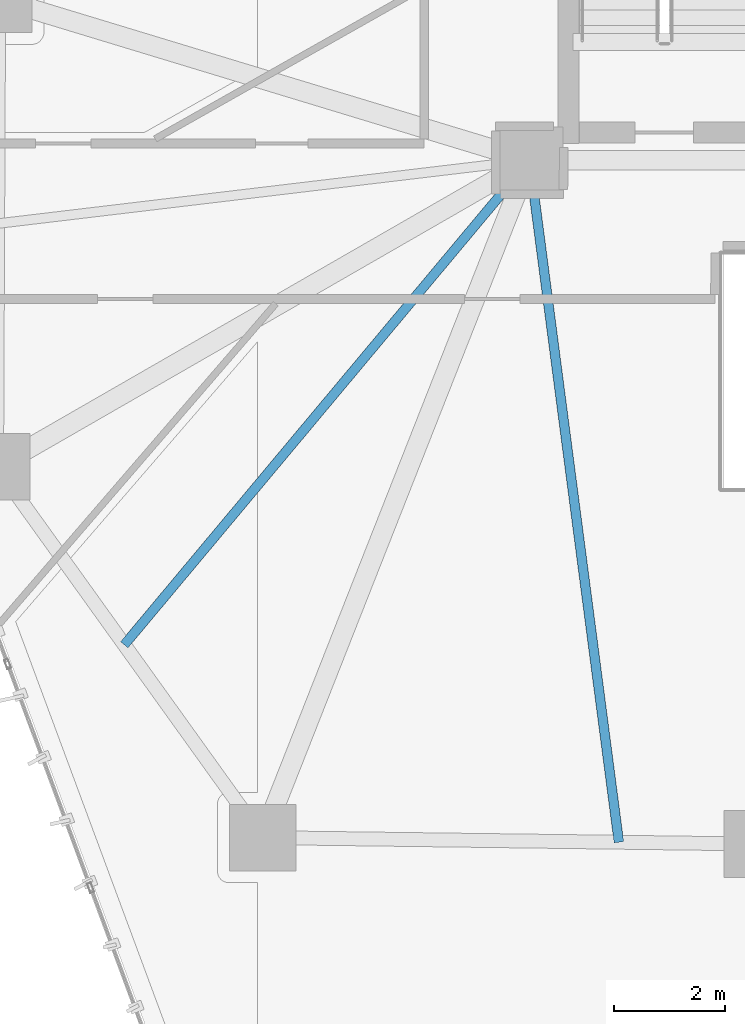
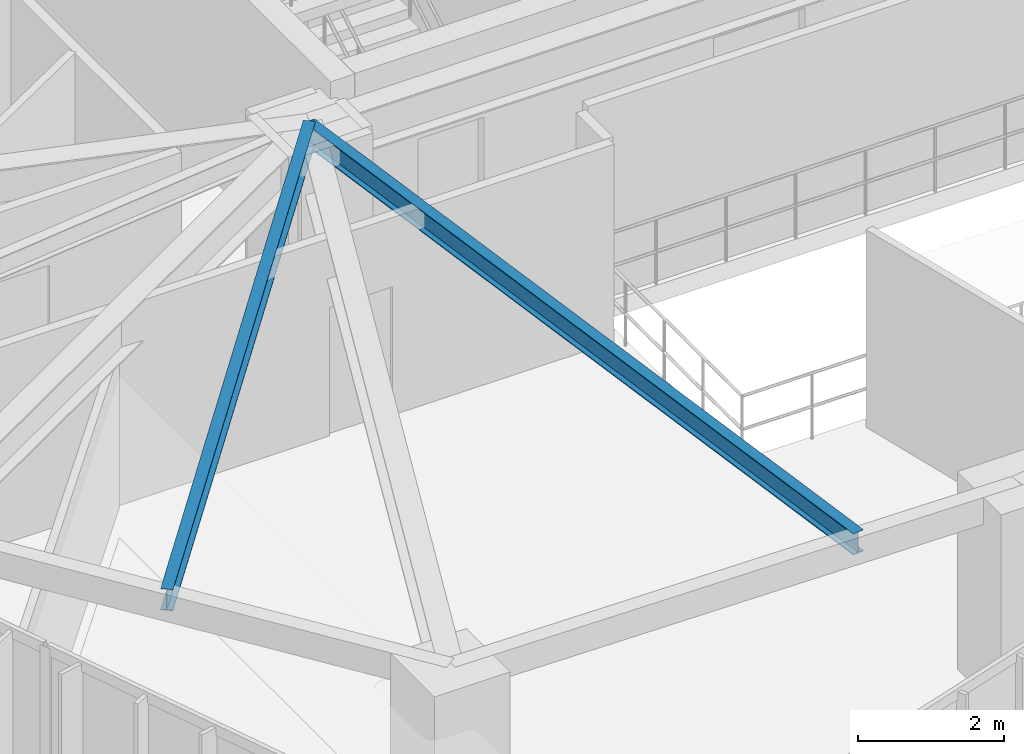
# One storey, part 4 of 21: 2 beams.
"""IFC4 building model written with IfcOpenShell, lengths in metres."""

from ifc_helpers import new_model, si_unit, direction, frame, origin, origin_2d, place, context, subcontext, project, spatial, i_section, extrude, material, material_profile, profile_set, type_object, element, save


model = new_model("IFC4")

# Units and contexts
model_context = context("Model", 3, precision=1e-05, world=origin(), true_north=direction((0.0, 1.0)))
body_context = subcontext(model_context, "Body", "Model", "MODEL_VIEW")
ifc_project = project(units=[si_unit("LENGTHUNIT", "METRE"), si_unit("AREAUNIT", "SQUARE_METRE"), si_unit("VOLUMEUNIT", "CUBIC_METRE"), si_unit("PLANEANGLEUNIT", "RADIAN"), si_unit("MASSUNIT", "GRAM", prefix="KILO")], contexts=[model_context])

# Site, building, storey
site_placement = place(None, origin())
site = spatial("IfcSite", under=ifc_project, at=site_placement, CompositionType="ELEMENT")
building_placement = place(site_placement, origin())
building = spatial("IfcBuilding", under=site, at=building_placement, Name="Talar Marvaseh", CompositionType="ELEMENT")
storey_placement = place(building_placement, frame((0.0, 0.0, 143.39990234375)))
storey = spatial("IfcBuildingStorey", under=building, at=storey_placement, Name="L37", CompositionType="ELEMENT", Elevation=143.39990234375)

# Beams
ifc_material = material(Name="Steel S355", Category="steel")
ifc_material_profile = material_profile(ifc_material, i_section(OverallWidth=0.172119140625, OverallDepth=0.35791015625, WebThickness=0.0078125, FlangeThickness=0.01318359375, at=origin_2d()), Name="W360x57")
ifc_profile_set = profile_set([ifc_material_profile], Name="Steel S355")
beam_type = type_object("IfcBeamType", Name="Zone 2 Secondary Floor Joist W360x57", PredefinedType="JOIST", material=ifc_profile_set)
beam_1_placement = place(storey_placement, frame((20.30908203125, 13.215576171875, 3.131103515625), z_axis=(-0.129880008292, 0.991529718892, 0.0), x_axis=(-0.991529718892, -0.129880008292, 0.0)))
element("IfcBeam", 1, at=beam_1_placement, inside=storey, type_object=beam_type, Name="L37 Zone 2 Secondary Floor Joist W360x57", PredefinedType="JOIST", context=body_context, shape_type="SweptSolid", body=[
    extrude(i_section(OverallWidth=0.172119140625, OverallDepth=0.35791015625, WebThickness=0.0078125, FlangeThickness=0.01318359375, at=origin_2d()), origin(), (0.0, 0.0, 1.0), 12.389404296875),
])
beam_2_placement = place(storey_placement, frame((11.400146484375, 16.771484375, 3.131103515625), z_axis=(0.641534082313, 0.767094532135, 0.0), x_axis=(-0.767094532135, 0.641534082313, 0.0)))
element("IfcBeam", 2, at=beam_2_placement, inside=storey, type_object=beam_type, Name="L37 Zone 2 Secondary Floor Joist W360x57", PredefinedType="JOIST", context=body_context, shape_type="SweptSolid", body=[
    extrude(i_section(OverallWidth=0.172119140625, OverallDepth=0.35791015625, WebThickness=0.0078125, FlangeThickness=0.01318359375, at=origin_2d()), origin(), (0.0, 0.0, 1.0), 11.378662109375),
])

save(model, "model.ifc")
